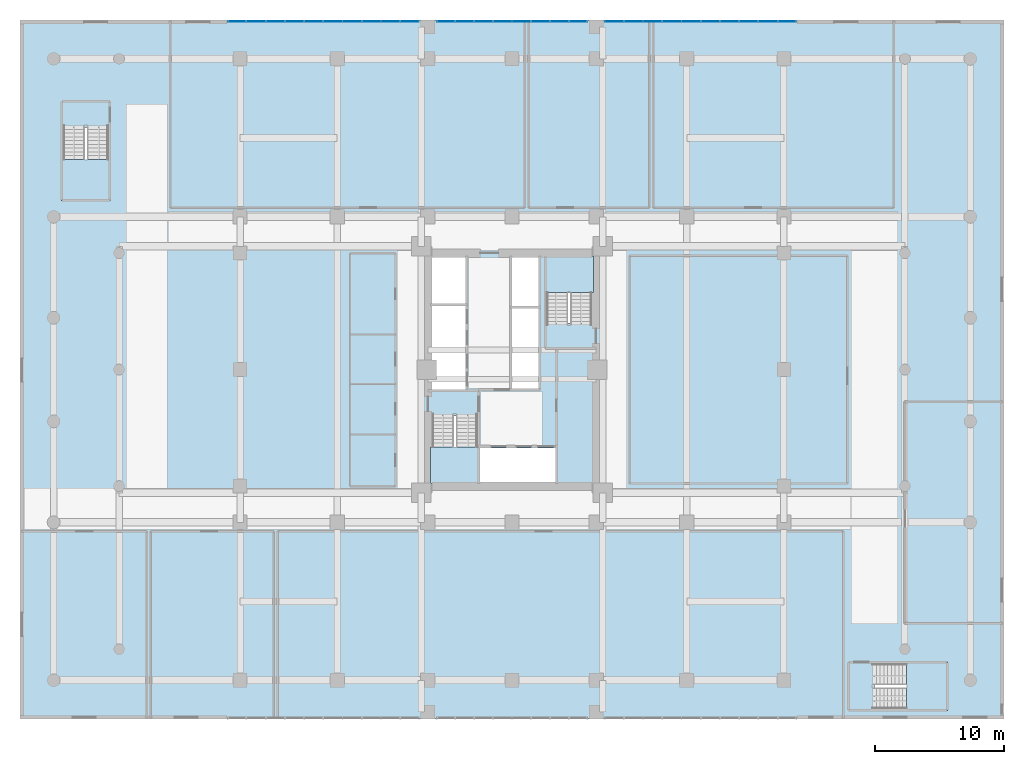
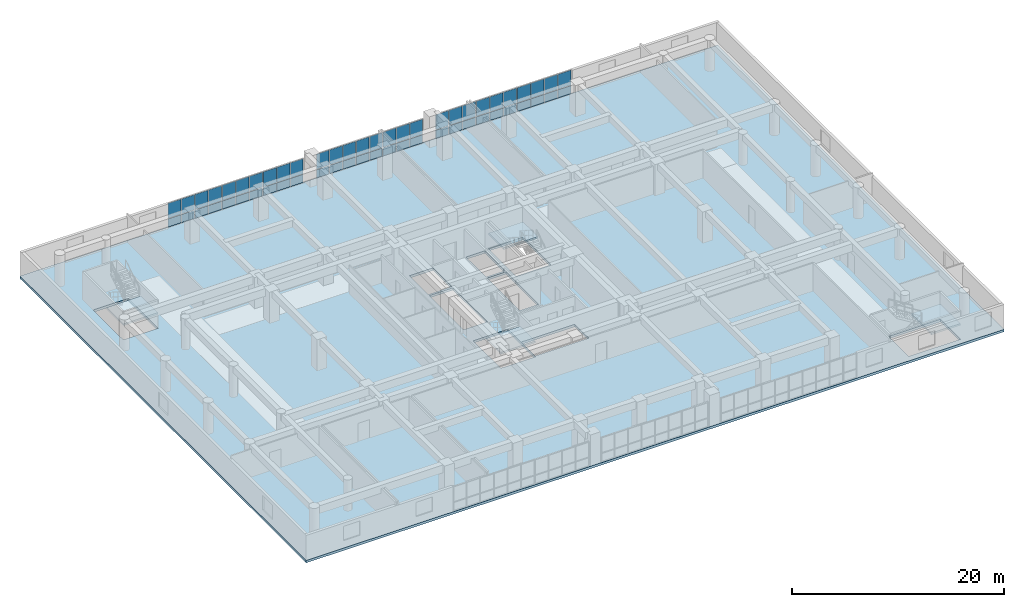
# One storey, part 17 of 30: 56 plates, 5 slabs, 7 elements without a shape of their own.
"""IFC4 building model written with IfcOpenShell, lengths in metres."""

from ifc_helpers import new_model, si_unit, direction, frame, origin, origin_2d, place, context, subcontext, project, spatial, polyline, rectangle, outline, extrude, source, transform, mapped, material, layer, layer_set, type_object, element, aggregate, save


model = new_model("IFC4")

# Units and contexts
model_context = context("Model", 3, precision=1e-05, world=origin(), true_north=direction((0.0, 1.0)))
body_context = subcontext(model_context, "Body", "Model", "MODEL_VIEW")
ifc_project = project(units=[si_unit("LENGTHUNIT", "METRE"), si_unit("AREAUNIT", "SQUARE_METRE"), si_unit("VOLUMEUNIT", "CUBIC_METRE"), si_unit("PLANEANGLEUNIT", "RADIAN"), si_unit("MASSUNIT", "GRAM", prefix="KILO")], contexts=[model_context])

# Site, building, storey
site_placement = place(None, origin())
site = spatial("IfcSite", under=ifc_project, at=site_placement, CompositionType="ELEMENT")
building_placement = place(site_placement, origin())
building = spatial("IfcBuilding", under=site, at=building_placement, Name="Saelheon Loggia Tower", CompositionType="ELEMENT")
storey_placement = place(building_placement, frame((0.0, 0.0, 11.39990234375)))
storey = spatial("IfcBuildingStorey", under=building, at=storey_placement, Name="L03", CompositionType="ELEMENT", Elevation=11.39990234375)

# Slab
ifc_material_1 = material(Name="Concrete C40/50", Category="concrete")
ifc_layer_1 = layer(ifc_material_1, 0.280029296875)
ifc_layer_set_1 = layer_set([ifc_layer_1], Name="Concrete C40/50")
slab_type_1 = type_object("IfcSlabType", Name="Slab_Podium_280", PredefinedType="FLOOR", material=ifc_layer_set_1)
slab_1_placement = place(storey_placement, frame((0.0, 0.0, -0.27978515625)))
element("IfcSlab", 1, at=slab_1_placement, inside=storey, type_object=slab_type_1, Name="L03 Podium Clinic Floor Slab", PredefinedType="FLOOR", context=body_context, shape_type="SweptSolid", body=[
    extrude(outline(polyline([(0.0, 0.0), (76.0, 0.0), (76.0, 54.0), (0.0, 54.0), (0.0, 0.0)]), holes=[polyline([(31.699951171875, 23.409912109375), (31.699951171875, 18.199951171875), (35.47998046875, 18.199951171875), (35.47998046875, 23.409912109375), (31.699951171875, 23.409912109375)]), polyline([(44.300048828125, 30.590087890625), (44.300048828125, 35.800048828125), (40.52001953125, 35.800048828125), (40.52001953125, 30.590087890625), (44.300048828125, 30.590087890625)]), polyline([(3.199951171875, 45.7099609375), (3.199951171875, 40.050048828125), (6.97998046875, 40.050048828125), (6.97998046875, 45.7099609375), (3.199951171875, 45.7099609375)]), polyline([(65.989990234375, 0.64990234375), (71.64990234375, 0.64990234375), (71.64990234375, 4.429931640625), (65.989990234375, 4.429931640625), (65.989990234375, 0.64990234375)]), polyline([(35.530029296875, 18.324951171875), (41.35009765625, 18.324951171875), (41.35009765625, 20.9599609375), (35.530029296875, 20.9599609375), (35.530029296875, 18.324951171875)]), polyline([(31.824951171875, 32.1201171875), (34.419921875, 32.1201171875), (34.419921875, 35.675048828125), (31.824951171875, 35.675048828125), (31.824951171875, 32.1201171875)]), polyline([(38.0, 31.89990234375), (40.050048828125, 31.89990234375), (40.050048828125, 35.675048828125), (38.0, 35.675048828125), (38.0, 31.89990234375)]), polyline([(31.824951171875, 25.449951171875), (34.419921875, 25.449951171875), (34.419921875, 31.919921875), (31.824951171875, 31.919921875), (31.824951171875, 25.449951171875)]), polyline([(38.0, 25.5400390625), (40.050048828125, 25.5400390625), (40.050048828125, 31.699951171875), (38.0, 31.699951171875), (38.0, 25.5400390625)])]), origin(), (0.0, 0.0, 1.0), 0.27978515625),
])

# Stair, slab
stair_type_1 = type_object("IfcStairType", Name="Stair_Escape_Core", PredefinedType="HALF_TURN_STAIR", material=ifc_material_1)
stair_1_placement = place(storey_placement, origin())
stair_1 = element("IfcStair", 2, at=stair_1_placement, inside=storey, type_object=stair_type_1, Name="L03 Special Escape Stair ST1", PredefinedType="HALF_TURN_STAIR")
ifc_layer_2 = layer(ifc_material_1, 0.199951171875)
ifc_layer_set_2 = layer_set([ifc_layer_2], Name="Concrete C40/50")
slab_type_2 = type_object("IfcSlabType", Name="Slab_StairLanding_ST1", PredefinedType="LANDING", material=ifc_layer_set_2)
slab_2_placement = place(storey_placement, frame((0.0, 0.0, 1.60009765625)))
slab_2 = element("IfcSlab", 3, at=slab_2_placement, type_object=slab_type_2, Name="ST1 landing 1", PredefinedType="LANDING", context=body_context, shape_type="SweptSolid", body=[
    extrude(outline(polyline([(31.7099609375, 21.030029296875), (31.7099609375, 18.2099609375), (35.469970703125, 18.2099609375), (35.469970703125, 21.030029296875), (31.7099609375, 21.030029296875)])), origin(), (0.0, 0.0, 1.0), 0.199951171875),
])
aggregate(stair_1, [slab_2])

stair_2_placement = place(storey_placement, origin())
stair_2 = element("IfcStair", 4, at=stair_2_placement, inside=storey, type_object=stair_type_1, Name="L03 Special Escape Stair ST2", PredefinedType="HALF_TURN_STAIR")
ifc_layer_3 = layer(ifc_material_1, 0.199951171875)
ifc_layer_set_3 = layer_set([ifc_layer_3], Name="Concrete C40/50")
slab_type_3 = type_object("IfcSlabType", Name="Slab_StairLanding_ST2", PredefinedType="LANDING", material=ifc_layer_set_3)
slab_3_placement = place(storey_placement, frame((0.0, 0.0, 1.60009765625)))
slab_3 = element("IfcSlab", 5, at=slab_3_placement, type_object=slab_type_3, Name="ST2 landing 1", PredefinedType="LANDING", context=body_context, shape_type="SweptSolid", body=[
    extrude(outline(polyline([(44.2900390625, 32.969970703125), (44.2900390625, 35.7900390625), (40.530029296875, 35.7900390625), (40.530029296875, 32.969970703125), (44.2900390625, 32.969970703125)])), origin(), (0.0, 0.0, 1.0), 0.199951171875),
])
aggregate(stair_2, [slab_3])

stair_type_2 = type_object("IfcStairType", Name="Stair_Escape_Podium", PredefinedType="HALF_TURN_STAIR", material=ifc_material_1)
stair_3_placement = place(storey_placement, origin())
stair_3 = element("IfcStair", 6, at=stair_3_placement, inside=storey, type_object=stair_type_2, Name="L03 Podium Escape Stair ST3", PredefinedType="HALF_TURN_STAIR")
ifc_layer_4 = layer(ifc_material_1, 0.199951171875)
ifc_layer_set_4 = layer_set([ifc_layer_4], Name="Concrete C40/50")
slab_type_4 = type_object("IfcSlabType", Name="Slab_StairLanding_ST3", PredefinedType="LANDING", material=ifc_layer_set_4)
slab_4_placement = place(storey_placement, frame((0.0, 0.0, 1.60009765625)))
slab_4 = element("IfcSlab", 7, at=slab_4_placement, type_object=slab_type_4, Name="ST3 landing 1", PredefinedType="LANDING", context=body_context, shape_type="SweptSolid", body=[
    extrude(outline(polyline([(3.2099609375, 43.239990234375), (3.2099609375, 40.06005859375), (6.969970703125, 40.06005859375), (6.969970703125, 43.239990234375), (3.2099609375, 43.239990234375)])), origin(), (0.0, 0.0, 1.0), 0.199951171875),
])
aggregate(stair_3, [slab_4])

stair_4_placement = place(storey_placement, origin())
stair_4 = element("IfcStair", 8, at=stair_4_placement, inside=storey, type_object=stair_type_2, Name="L03 Podium Escape Stair ST4", PredefinedType="HALF_TURN_STAIR")
ifc_layer_5 = layer(ifc_material_1, 0.199951171875)
ifc_layer_set_5 = layer_set([ifc_layer_5], Name="Concrete C40/50")
slab_type_5 = type_object("IfcSlabType", Name="Slab_StairLanding_ST4", PredefinedType="LANDING", material=ifc_layer_set_5)
slab_5_placement = place(storey_placement, frame((0.0, 0.0, 1.60009765625)))
slab_5 = element("IfcSlab", 9, at=slab_5_placement, type_object=slab_type_5, Name="ST4 landing 1", PredefinedType="LANDING", context=body_context, shape_type="SweptSolid", body=[
    extrude(outline(polyline([(68.4599609375, 0.659912109375), (71.639892578125, 0.659912109375), (71.639892578125, 4.419921875), (68.4599609375, 4.419921875), (68.4599609375, 0.659912109375)])), origin(), (0.0, 0.0, 1.0), 0.199951171875),
])
aggregate(stair_4, [slab_5])

# Curtain wall, plates
ifc_material_2 = material(Name="Aluminium 6063-T6 and Low-E IGU", Category="aluminium")
ifc_layer_6 = layer(ifc_material_2, 0.179931640625)
ifc_layer_set_6 = layer_set([ifc_layer_6], Name="Aluminium 6063-T6 and Low-E IGU")
curtain_wall_type = type_object("IfcCurtainWallType", Name="CW_PodiumClinic", PredefinedType="NOTDEFINED", material=ifc_layer_set_6)
curtain_wall_1_placement = place(storey_placement, origin())
curtain_wall_1 = element("IfcCurtainWall", 10, at=curtain_wall_1_placement, inside=storey, type_object=curtain_wall_type, Name="L03 North Clinic Curtain Wall 1", PredefinedType="NOTDEFINED")
ifc_material_3 = material(Name="Triple Low-E Laminated Glazing", Category="glass")
ifc_layer_7 = layer(ifc_material_3, 0.031982421875)
ifc_layer_set_7 = layer_set([ifc_layer_7], Name="Triple Low-E Laminated Glazing")
plate_type = type_object("IfcPlateType", Name="CW_PodiumClinic_Panel", PredefinedType="CURTAIN_PANEL", material=ifc_layer_set_7)
shared_shape_1 = source(origin(), body_context, "Body", "SweptSolid", [
    extrude(rectangle(XDim=1.3798828125, YDim=0.031982421875, at=origin_2d()), origin(), (0.0, 0.0, 1.0), 0.945068359375),
])
plate_1_placement = place(storey_placement, frame((16.760009765625, 53.89990234375, 0.06982421875), z_axis=(0.0, 0.0, 1.0), x_axis=(1.0, 0.0, 0.0)))
plate_1 = element("IfcPlate", 11, at=plate_1_placement, type_object=plate_type, Name="CW1 panel 1.1", PredefinedType="CURTAIN_PANEL", context=body_context, shape_type="MappedRepresentation", body=[
    mapped(shared_shape_1, transform((0.0, 0.0, 0.0), scale=1.0)),
])
plate_2_placement = place(storey_placement, frame((30.090087890625, 53.89990234375, 0.06982421875), z_axis=(0.0, 0.0, 1.0), x_axis=(1.0, 0.0, 0.0)))
plate_2 = element("IfcPlate", 12, at=plate_2_placement, type_object=plate_type, Name="CW1 panel 10.1", PredefinedType="CURTAIN_PANEL", context=body_context, shape_type="MappedRepresentation", body=[
    mapped(shared_shape_1, transform((0.0, 0.0, 0.0), scale=1.0)),
])

curtain_wall_2_placement = place(storey_placement, origin())
curtain_wall_2 = element("IfcCurtainWall", 13, at=curtain_wall_2_placement, inside=storey, type_object=curtain_wall_type, Name="L03 North Clinic Curtain Wall 3", PredefinedType="NOTDEFINED")
plate_3_placement = place(storey_placement, frame((45.909912109375, 53.89990234375, 0.06982421875), z_axis=(0.0, 0.0, 1.0), x_axis=(1.0, 0.0, 0.0)))
plate_3 = element("IfcPlate", 14, at=plate_3_placement, type_object=plate_type, Name="CW1 panel 1.1", PredefinedType="CURTAIN_PANEL", context=body_context, shape_type="MappedRepresentation", body=[
    mapped(shared_shape_1, transform((0.0, 0.0, 0.0), scale=1.0)),
])
plate_4_placement = place(storey_placement, frame((59.239990234375, 53.89990234375, 0.06982421875), z_axis=(0.0, 0.0, 1.0), x_axis=(1.0, 0.0, 0.0)))
plate_4 = element("IfcPlate", 15, at=plate_4_placement, type_object=plate_type, Name="CW1 panel 10.1", PredefinedType="CURTAIN_PANEL", context=body_context, shape_type="MappedRepresentation", body=[
    mapped(shared_shape_1, transform((0.0, 0.0, 0.0), scale=1.0)),
])

# Plate
shared_shape_2 = source(origin(), body_context, "Body", "SweptSolid", [
    extrude(rectangle(XDim=1.3798828125, YDim=0.031982421875, at=origin_2d()), origin(), (0.0, 0.0, 1.0), 1.72509765625),
])
plate_5_placement = place(storey_placement, frame((16.760009765625, 53.89990234375, 1.0849609375), z_axis=(0.0, 0.0, 1.0), x_axis=(1.0, 0.0, 0.0)))
plate_5 = element("IfcPlate", 16, at=plate_5_placement, type_object=plate_type, Name="CW1 panel 1.2", PredefinedType="CURTAIN_PANEL", context=body_context, shape_type="MappedRepresentation", body=[
    mapped(shared_shape_2, transform((0.0, 0.0, 0.0), scale=1.0)),
])

plate_6_placement = place(storey_placement, frame((30.090087890625, 53.89990234375, 1.0849609375), z_axis=(0.0, 0.0, 1.0), x_axis=(1.0, 0.0, 0.0)))
plate_6 = element("IfcPlate", 17, at=plate_6_placement, type_object=plate_type, Name="CW1 panel 10.2", PredefinedType="CURTAIN_PANEL", context=body_context, shape_type="MappedRepresentation", body=[
    mapped(shared_shape_2, transform((0.0, 0.0, 0.0), scale=1.0)),
])

plate_7_placement = place(storey_placement, frame((45.909912109375, 53.89990234375, 1.0849609375), z_axis=(0.0, 0.0, 1.0), x_axis=(1.0, 0.0, 0.0)))
plate_7 = element("IfcPlate", 18, at=plate_7_placement, type_object=plate_type, Name="CW1 panel 1.2", PredefinedType="CURTAIN_PANEL", context=body_context, shape_type="MappedRepresentation", body=[
    mapped(shared_shape_2, transform((0.0, 0.0, 0.0), scale=1.0)),
])

plate_8_placement = place(storey_placement, frame((59.239990234375, 53.89990234375, 1.0849609375), z_axis=(0.0, 0.0, 1.0), x_axis=(1.0, 0.0, 0.0)))
plate_8 = element("IfcPlate", 19, at=plate_8_placement, type_object=plate_type, Name="CW1 panel 10.2", PredefinedType="CURTAIN_PANEL", context=body_context, shape_type="MappedRepresentation", body=[
    mapped(shared_shape_2, transform((0.0, 0.0, 0.0), scale=1.0)),
])

shared_shape_3 = source(origin(), body_context, "Body", "SweptSolid", [
    extrude(rectangle(XDim=1.4150390625, YDim=0.031982421875, at=origin_2d()), origin(), (0.0, 0.0, 1.0), 0.945068359375),
])
plate_9_placement = place(storey_placement, frame((18.2275390625, 53.89990234375, 0.06982421875), z_axis=(0.0, 0.0, 1.0), x_axis=(1.0, 0.0, 0.0)))
plate_9 = element("IfcPlate", 20, at=plate_9_placement, type_object=plate_type, Name="CW1 panel 2.1", PredefinedType="CURTAIN_PANEL", context=body_context, shape_type="MappedRepresentation", body=[
    mapped(shared_shape_3, transform((0.0, 0.0, 0.0), scale=1.0)),
])

plate_10_placement = place(storey_placement, frame((19.71240234375, 53.89990234375, 0.06982421875), z_axis=(0.0, 0.0, 1.0), x_axis=(1.0, 0.0, 0.0)))
plate_10 = element("IfcPlate", 21, at=plate_10_placement, type_object=plate_type, Name="CW1 panel 3.1", PredefinedType="CURTAIN_PANEL", context=body_context, shape_type="MappedRepresentation", body=[
    mapped(shared_shape_3, transform((0.0, 0.0, 0.0), scale=1.0)),
])

plate_11_placement = place(storey_placement, frame((21.197509765625, 53.89990234375, 0.06982421875), z_axis=(0.0, 0.0, 1.0), x_axis=(1.0, 0.0, 0.0)))
plate_11 = element("IfcPlate", 22, at=plate_11_placement, type_object=plate_type, Name="CW1 panel 4.1", PredefinedType="CURTAIN_PANEL", context=body_context, shape_type="MappedRepresentation", body=[
    mapped(shared_shape_3, transform((0.0, 0.0, 0.0), scale=1.0)),
])

plate_12_placement = place(storey_placement, frame((22.6826171875, 53.89990234375, 0.06982421875), z_axis=(0.0, 0.0, 1.0), x_axis=(1.0, 0.0, 0.0)))
plate_12 = element("IfcPlate", 23, at=plate_12_placement, type_object=plate_type, Name="CW1 panel 5.1", PredefinedType="CURTAIN_PANEL", context=body_context, shape_type="MappedRepresentation", body=[
    mapped(shared_shape_3, transform((0.0, 0.0, 0.0), scale=1.0)),
])

plate_13_placement = place(storey_placement, frame((24.16748046875, 53.89990234375, 0.06982421875), z_axis=(0.0, 0.0, 1.0), x_axis=(1.0, 0.0, 0.0)))
plate_13 = element("IfcPlate", 24, at=plate_13_placement, type_object=plate_type, Name="CW1 panel 6.1", PredefinedType="CURTAIN_PANEL", context=body_context, shape_type="MappedRepresentation", body=[
    mapped(shared_shape_3, transform((0.0, 0.0, 0.0), scale=1.0)),
])

plate_14_placement = place(storey_placement, frame((25.652587890625, 53.89990234375, 0.06982421875), z_axis=(0.0, 0.0, 1.0), x_axis=(1.0, 0.0, 0.0)))
plate_14 = element("IfcPlate", 25, at=plate_14_placement, type_object=plate_type, Name="CW1 panel 7.1", PredefinedType="CURTAIN_PANEL", context=body_context, shape_type="MappedRepresentation", body=[
    mapped(shared_shape_3, transform((0.0, 0.0, 0.0), scale=1.0)),
])

plate_15_placement = place(storey_placement, frame((27.137451171875, 53.89990234375, 0.06982421875), z_axis=(0.0, 0.0, 1.0), x_axis=(1.0, 0.0, 0.0)))
plate_15 = element("IfcPlate", 26, at=plate_15_placement, type_object=plate_type, Name="CW1 panel 8.1", PredefinedType="CURTAIN_PANEL", context=body_context, shape_type="MappedRepresentation", body=[
    mapped(shared_shape_3, transform((0.0, 0.0, 0.0), scale=1.0)),
])

plate_16_placement = place(storey_placement, frame((28.62255859375, 53.89990234375, 0.06982421875), z_axis=(0.0, 0.0, 1.0), x_axis=(1.0, 0.0, 0.0)))
plate_16 = element("IfcPlate", 27, at=plate_16_placement, type_object=plate_type, Name="CW1 panel 9.1", PredefinedType="CURTAIN_PANEL", context=body_context, shape_type="MappedRepresentation", body=[
    mapped(shared_shape_3, transform((0.0, 0.0, 0.0), scale=1.0)),
])

plate_17_placement = place(storey_placement, frame((47.37744140625, 53.89990234375, 0.06982421875), z_axis=(0.0, 0.0, 1.0), x_axis=(1.0, 0.0, 0.0)))
plate_17 = element("IfcPlate", 28, at=plate_17_placement, type_object=plate_type, Name="CW1 panel 2.1", PredefinedType="CURTAIN_PANEL", context=body_context, shape_type="MappedRepresentation", body=[
    mapped(shared_shape_3, transform((0.0, 0.0, 0.0), scale=1.0)),
])

plate_18_placement = place(storey_placement, frame((48.862548828125, 53.89990234375, 0.06982421875), z_axis=(0.0, 0.0, 1.0), x_axis=(1.0, 0.0, 0.0)))
plate_18 = element("IfcPlate", 29, at=plate_18_placement, type_object=plate_type, Name="CW1 panel 3.1", PredefinedType="CURTAIN_PANEL", context=body_context, shape_type="MappedRepresentation", body=[
    mapped(shared_shape_3, transform((0.0, 0.0, 0.0), scale=1.0)),
])

plate_19_placement = place(storey_placement, frame((50.347412109375, 53.89990234375, 0.06982421875), z_axis=(0.0, 0.0, 1.0), x_axis=(1.0, 0.0, 0.0)))
plate_19 = element("IfcPlate", 30, at=plate_19_placement, type_object=plate_type, Name="CW1 panel 4.1", PredefinedType="CURTAIN_PANEL", context=body_context, shape_type="MappedRepresentation", body=[
    mapped(shared_shape_3, transform((0.0, 0.0, 0.0), scale=1.0)),
])

plate_20_placement = place(storey_placement, frame((51.83251953125, 53.89990234375, 0.06982421875), z_axis=(0.0, 0.0, 1.0), x_axis=(1.0, 0.0, 0.0)))
plate_20 = element("IfcPlate", 31, at=plate_20_placement, type_object=plate_type, Name="CW1 panel 5.1", PredefinedType="CURTAIN_PANEL", context=body_context, shape_type="MappedRepresentation", body=[
    mapped(shared_shape_3, transform((0.0, 0.0, 0.0), scale=1.0)),
])

plate_21_placement = place(storey_placement, frame((53.3173828125, 53.89990234375, 0.06982421875), z_axis=(0.0, 0.0, 1.0), x_axis=(1.0, 0.0, 0.0)))
plate_21 = element("IfcPlate", 32, at=plate_21_placement, type_object=plate_type, Name="CW1 panel 6.1", PredefinedType="CURTAIN_PANEL", context=body_context, shape_type="MappedRepresentation", body=[
    mapped(shared_shape_3, transform((0.0, 0.0, 0.0), scale=1.0)),
])

plate_22_placement = place(storey_placement, frame((54.802490234375, 53.89990234375, 0.06982421875), z_axis=(0.0, 0.0, 1.0), x_axis=(1.0, 0.0, 0.0)))
plate_22 = element("IfcPlate", 33, at=plate_22_placement, type_object=plate_type, Name="CW1 panel 7.1", PredefinedType="CURTAIN_PANEL", context=body_context, shape_type="MappedRepresentation", body=[
    mapped(shared_shape_3, transform((0.0, 0.0, 0.0), scale=1.0)),
])

plate_23_placement = place(storey_placement, frame((56.28759765625, 53.89990234375, 0.06982421875), z_axis=(0.0, 0.0, 1.0), x_axis=(1.0, 0.0, 0.0)))
plate_23 = element("IfcPlate", 34, at=plate_23_placement, type_object=plate_type, Name="CW1 panel 8.1", PredefinedType="CURTAIN_PANEL", context=body_context, shape_type="MappedRepresentation", body=[
    mapped(shared_shape_3, transform((0.0, 0.0, 0.0), scale=1.0)),
])

plate_24_placement = place(storey_placement, frame((57.7724609375, 53.89990234375, 0.06982421875), z_axis=(0.0, 0.0, 1.0), x_axis=(1.0, 0.0, 0.0)))
plate_24 = element("IfcPlate", 35, at=plate_24_placement, type_object=plate_type, Name="CW1 panel 9.1", PredefinedType="CURTAIN_PANEL", context=body_context, shape_type="MappedRepresentation", body=[
    mapped(shared_shape_3, transform((0.0, 0.0, 0.0), scale=1.0)),
])

shared_shape_4 = source(origin(), body_context, "Body", "SweptSolid", [
    extrude(rectangle(XDim=1.4150390625, YDim=0.031982421875, at=origin_2d()), origin(), (0.0, 0.0, 1.0), 1.72509765625),
])
plate_25_placement = place(storey_placement, frame((18.2275390625, 53.89990234375, 1.0849609375), z_axis=(0.0, 0.0, 1.0), x_axis=(1.0, 0.0, 0.0)))
plate_25 = element("IfcPlate", 36, at=plate_25_placement, type_object=plate_type, Name="CW1 panel 2.2", PredefinedType="CURTAIN_PANEL", context=body_context, shape_type="MappedRepresentation", body=[
    mapped(shared_shape_4, transform((0.0, 0.0, 0.0), scale=1.0)),
])

plate_26_placement = place(storey_placement, frame((19.71240234375, 53.89990234375, 1.0849609375), z_axis=(0.0, 0.0, 1.0), x_axis=(1.0, 0.0, 0.0)))
plate_26 = element("IfcPlate", 37, at=plate_26_placement, type_object=plate_type, Name="CW1 panel 3.2", PredefinedType="CURTAIN_PANEL", context=body_context, shape_type="MappedRepresentation", body=[
    mapped(shared_shape_4, transform((0.0, 0.0, 0.0), scale=1.0)),
])

plate_27_placement = place(storey_placement, frame((21.197509765625, 53.89990234375, 1.0849609375), z_axis=(0.0, 0.0, 1.0), x_axis=(1.0, 0.0, 0.0)))
plate_27 = element("IfcPlate", 38, at=plate_27_placement, type_object=plate_type, Name="CW1 panel 4.2", PredefinedType="CURTAIN_PANEL", context=body_context, shape_type="MappedRepresentation", body=[
    mapped(shared_shape_4, transform((0.0, 0.0, 0.0), scale=1.0)),
])

plate_28_placement = place(storey_placement, frame((22.6826171875, 53.89990234375, 1.0849609375), z_axis=(0.0, 0.0, 1.0), x_axis=(1.0, 0.0, 0.0)))
plate_28 = element("IfcPlate", 39, at=plate_28_placement, type_object=plate_type, Name="CW1 panel 5.2", PredefinedType="CURTAIN_PANEL", context=body_context, shape_type="MappedRepresentation", body=[
    mapped(shared_shape_4, transform((0.0, 0.0, 0.0), scale=1.0)),
])

plate_29_placement = place(storey_placement, frame((24.16748046875, 53.89990234375, 1.0849609375), z_axis=(0.0, 0.0, 1.0), x_axis=(1.0, 0.0, 0.0)))
plate_29 = element("IfcPlate", 40, at=plate_29_placement, type_object=plate_type, Name="CW1 panel 6.2", PredefinedType="CURTAIN_PANEL", context=body_context, shape_type="MappedRepresentation", body=[
    mapped(shared_shape_4, transform((0.0, 0.0, 0.0), scale=1.0)),
])

plate_30_placement = place(storey_placement, frame((25.652587890625, 53.89990234375, 1.0849609375), z_axis=(0.0, 0.0, 1.0), x_axis=(1.0, 0.0, 0.0)))
plate_30 = element("IfcPlate", 41, at=plate_30_placement, type_object=plate_type, Name="CW1 panel 7.2", PredefinedType="CURTAIN_PANEL", context=body_context, shape_type="MappedRepresentation", body=[
    mapped(shared_shape_4, transform((0.0, 0.0, 0.0), scale=1.0)),
])

plate_31_placement = place(storey_placement, frame((27.137451171875, 53.89990234375, 1.0849609375), z_axis=(0.0, 0.0, 1.0), x_axis=(1.0, 0.0, 0.0)))
plate_31 = element("IfcPlate", 42, at=plate_31_placement, type_object=plate_type, Name="CW1 panel 8.2", PredefinedType="CURTAIN_PANEL", context=body_context, shape_type="MappedRepresentation", body=[
    mapped(shared_shape_4, transform((0.0, 0.0, 0.0), scale=1.0)),
])

plate_32_placement = place(storey_placement, frame((28.62255859375, 53.89990234375, 1.0849609375), z_axis=(0.0, 0.0, 1.0), x_axis=(1.0, 0.0, 0.0)))
plate_32 = element("IfcPlate", 43, at=plate_32_placement, type_object=plate_type, Name="CW1 panel 9.2", PredefinedType="CURTAIN_PANEL", context=body_context, shape_type="MappedRepresentation", body=[
    mapped(shared_shape_4, transform((0.0, 0.0, 0.0), scale=1.0)),
])

aggregate(curtain_wall_1, [plate_1, plate_5, plate_9, plate_25, plate_10, plate_26, plate_11, plate_27, plate_12, plate_28, plate_13, plate_29, plate_14, plate_30, plate_15, plate_31, plate_16, plate_32, plate_2, plate_6])

plate_33_placement = place(storey_placement, frame((47.37744140625, 53.89990234375, 1.0849609375), z_axis=(0.0, 0.0, 1.0), x_axis=(1.0, 0.0, 0.0)))
plate_33 = element("IfcPlate", 44, at=plate_33_placement, type_object=plate_type, Name="CW1 panel 2.2", PredefinedType="CURTAIN_PANEL", context=body_context, shape_type="MappedRepresentation", body=[
    mapped(shared_shape_4, transform((0.0, 0.0, 0.0), scale=1.0)),
])

plate_34_placement = place(storey_placement, frame((48.862548828125, 53.89990234375, 1.0849609375), z_axis=(0.0, 0.0, 1.0), x_axis=(1.0, 0.0, 0.0)))
plate_34 = element("IfcPlate", 45, at=plate_34_placement, type_object=plate_type, Name="CW1 panel 3.2", PredefinedType="CURTAIN_PANEL", context=body_context, shape_type="MappedRepresentation", body=[
    mapped(shared_shape_4, transform((0.0, 0.0, 0.0), scale=1.0)),
])

plate_35_placement = place(storey_placement, frame((50.347412109375, 53.89990234375, 1.0849609375), z_axis=(0.0, 0.0, 1.0), x_axis=(1.0, 0.0, 0.0)))
plate_35 = element("IfcPlate", 46, at=plate_35_placement, type_object=plate_type, Name="CW1 panel 4.2", PredefinedType="CURTAIN_PANEL", context=body_context, shape_type="MappedRepresentation", body=[
    mapped(shared_shape_4, transform((0.0, 0.0, 0.0), scale=1.0)),
])

plate_36_placement = place(storey_placement, frame((51.83251953125, 53.89990234375, 1.0849609375), z_axis=(0.0, 0.0, 1.0), x_axis=(1.0, 0.0, 0.0)))
plate_36 = element("IfcPlate", 47, at=plate_36_placement, type_object=plate_type, Name="CW1 panel 5.2", PredefinedType="CURTAIN_PANEL", context=body_context, shape_type="MappedRepresentation", body=[
    mapped(shared_shape_4, transform((0.0, 0.0, 0.0), scale=1.0)),
])

plate_37_placement = place(storey_placement, frame((53.3173828125, 53.89990234375, 1.0849609375), z_axis=(0.0, 0.0, 1.0), x_axis=(1.0, 0.0, 0.0)))
plate_37 = element("IfcPlate", 48, at=plate_37_placement, type_object=plate_type, Name="CW1 panel 6.2", PredefinedType="CURTAIN_PANEL", context=body_context, shape_type="MappedRepresentation", body=[
    mapped(shared_shape_4, transform((0.0, 0.0, 0.0), scale=1.0)),
])

plate_38_placement = place(storey_placement, frame((54.802490234375, 53.89990234375, 1.0849609375), z_axis=(0.0, 0.0, 1.0), x_axis=(1.0, 0.0, 0.0)))
plate_38 = element("IfcPlate", 49, at=plate_38_placement, type_object=plate_type, Name="CW1 panel 7.2", PredefinedType="CURTAIN_PANEL", context=body_context, shape_type="MappedRepresentation", body=[
    mapped(shared_shape_4, transform((0.0, 0.0, 0.0), scale=1.0)),
])

plate_39_placement = place(storey_placement, frame((56.28759765625, 53.89990234375, 1.0849609375), z_axis=(0.0, 0.0, 1.0), x_axis=(1.0, 0.0, 0.0)))
plate_39 = element("IfcPlate", 50, at=plate_39_placement, type_object=plate_type, Name="CW1 panel 8.2", PredefinedType="CURTAIN_PANEL", context=body_context, shape_type="MappedRepresentation", body=[
    mapped(shared_shape_4, transform((0.0, 0.0, 0.0), scale=1.0)),
])

plate_40_placement = place(storey_placement, frame((57.7724609375, 53.89990234375, 1.0849609375), z_axis=(0.0, 0.0, 1.0), x_axis=(1.0, 0.0, 0.0)))
plate_40 = element("IfcPlate", 51, at=plate_40_placement, type_object=plate_type, Name="CW1 panel 9.2", PredefinedType="CURTAIN_PANEL", context=body_context, shape_type="MappedRepresentation", body=[
    mapped(shared_shape_4, transform((0.0, 0.0, 0.0), scale=1.0)),
])

aggregate(curtain_wall_2, [plate_3, plate_7, plate_17, plate_33, plate_18, plate_34, plate_19, plate_35, plate_20, plate_36, plate_21, plate_37, plate_22, plate_38, plate_23, plate_39, plate_24, plate_40, plate_4, plate_8])

# Curtain wall, plates
curtain_wall_3_placement = place(storey_placement, origin())
curtain_wall_3 = element("IfcCurtainWall", 52, at=curtain_wall_3_placement, inside=storey, type_object=curtain_wall_type, Name="L03 North Clinic Curtain Wall 2", PredefinedType="NOTDEFINED")
shared_shape_5 = source(origin(), body_context, "Body", "SweptSolid", [
    extrude(rectangle(XDim=1.357421875, YDim=0.031982421875, at=origin_2d()), origin(), (0.0, 0.0, 1.0), 0.945068359375),
])
plate_41_placement = place(storey_placement, frame((32.898681640625, 53.89990234375, 0.06982421875), z_axis=(0.0, 0.0, 1.0), x_axis=(1.0, 0.0, 0.0)))
plate_41 = element("IfcPlate", 53, at=plate_41_placement, type_object=plate_type, Name="CW1 panel 1.1", PredefinedType="CURTAIN_PANEL", context=body_context, shape_type="MappedRepresentation", body=[
    mapped(shared_shape_5, transform((0.0, 0.0, 0.0), scale=1.0)),
])
plate_42_placement = place(storey_placement, frame((43.101318359375, 53.89990234375, 0.06982421875), z_axis=(0.0, 0.0, 1.0), x_axis=(1.0, 0.0, 0.0)))
plate_42 = element("IfcPlate", 54, at=plate_42_placement, type_object=plate_type, Name="CW1 panel 8.1", PredefinedType="CURTAIN_PANEL", context=body_context, shape_type="MappedRepresentation", body=[
    mapped(shared_shape_5, transform((0.0, 0.0, 0.0), scale=1.0)),
])
shared_shape_6 = source(origin(), body_context, "Body", "SweptSolid", [
    extrude(rectangle(XDim=1.357421875, YDim=0.031982421875, at=origin_2d()), origin(), (0.0, 0.0, 1.0), 1.72509765625),
])
plate_43_placement = place(storey_placement, frame((32.898681640625, 53.89990234375, 1.0849609375), z_axis=(0.0, 0.0, 1.0), x_axis=(1.0, 0.0, 0.0)))
plate_43 = element("IfcPlate", 55, at=plate_43_placement, type_object=plate_type, Name="CW1 panel 1.2", PredefinedType="CURTAIN_PANEL", context=body_context, shape_type="MappedRepresentation", body=[
    mapped(shared_shape_6, transform((0.0, 0.0, 0.0), scale=1.0)),
])
plate_44_placement = place(storey_placement, frame((43.101318359375, 53.89990234375, 1.0849609375), z_axis=(0.0, 0.0, 1.0), x_axis=(1.0, 0.0, 0.0)))
plate_44 = element("IfcPlate", 56, at=plate_44_placement, type_object=plate_type, Name="CW1 panel 8.2", PredefinedType="CURTAIN_PANEL", context=body_context, shape_type="MappedRepresentation", body=[
    mapped(shared_shape_6, transform((0.0, 0.0, 0.0), scale=1.0)),
])
shared_shape_7 = source(origin(), body_context, "Body", "SweptSolid", [
    extrude(rectangle(XDim=1.392578125, YDim=0.031982421875, at=origin_2d()), origin(), (0.0, 0.0, 1.0), 0.945068359375),
])
plate_45_placement = place(storey_placement, frame((34.34375, 53.89990234375, 0.06982421875), z_axis=(0.0, 0.0, 1.0), x_axis=(1.0, 0.0, 0.0)))
plate_45 = element("IfcPlate", 57, at=plate_45_placement, type_object=plate_type, Name="CW1 panel 2.1", PredefinedType="CURTAIN_PANEL", context=body_context, shape_type="MappedRepresentation", body=[
    mapped(shared_shape_7, transform((0.0, 0.0, 0.0), scale=1.0)),
])
plate_46_placement = place(storey_placement, frame((35.80615234375, 53.89990234375, 0.06982421875), z_axis=(0.0, 0.0, 1.0), x_axis=(1.0, 0.0, 0.0)))
plate_46 = element("IfcPlate", 58, at=plate_46_placement, type_object=plate_type, Name="CW1 panel 3.1", PredefinedType="CURTAIN_PANEL", context=body_context, shape_type="MappedRepresentation", body=[
    mapped(shared_shape_7, transform((0.0, 0.0, 0.0), scale=1.0)),
])
plate_47_placement = place(storey_placement, frame((37.268798828125, 53.89990234375, 0.06982421875), z_axis=(0.0, 0.0, 1.0), x_axis=(1.0, 0.0, 0.0)))
plate_47 = element("IfcPlate", 59, at=plate_47_placement, type_object=plate_type, Name="CW1 panel 4.1", PredefinedType="CURTAIN_PANEL", context=body_context, shape_type="MappedRepresentation", body=[
    mapped(shared_shape_7, transform((0.0, 0.0, 0.0), scale=1.0)),
])
plate_48_placement = place(storey_placement, frame((38.731201171875, 53.89990234375, 0.06982421875), z_axis=(0.0, 0.0, 1.0), x_axis=(1.0, 0.0, 0.0)))
plate_48 = element("IfcPlate", 60, at=plate_48_placement, type_object=plate_type, Name="CW1 panel 5.1", PredefinedType="CURTAIN_PANEL", context=body_context, shape_type="MappedRepresentation", body=[
    mapped(shared_shape_7, transform((0.0, 0.0, 0.0), scale=1.0)),
])
plate_49_placement = place(storey_placement, frame((40.19384765625, 53.89990234375, 0.06982421875), z_axis=(0.0, 0.0, 1.0), x_axis=(1.0, 0.0, 0.0)))
plate_49 = element("IfcPlate", 61, at=plate_49_placement, type_object=plate_type, Name="CW1 panel 6.1", PredefinedType="CURTAIN_PANEL", context=body_context, shape_type="MappedRepresentation", body=[
    mapped(shared_shape_7, transform((0.0, 0.0, 0.0), scale=1.0)),
])
plate_50_placement = place(storey_placement, frame((41.65625, 53.89990234375, 0.06982421875), z_axis=(0.0, 0.0, 1.0), x_axis=(1.0, 0.0, 0.0)))
plate_50 = element("IfcPlate", 62, at=plate_50_placement, type_object=plate_type, Name="CW1 panel 7.1", PredefinedType="CURTAIN_PANEL", context=body_context, shape_type="MappedRepresentation", body=[
    mapped(shared_shape_7, transform((0.0, 0.0, 0.0), scale=1.0)),
])
shared_shape_8 = source(origin(), body_context, "Body", "SweptSolid", [
    extrude(rectangle(XDim=1.392578125, YDim=0.031982421875, at=origin_2d()), origin(), (0.0, 0.0, 1.0), 1.72509765625),
])
plate_51_placement = place(storey_placement, frame((34.34375, 53.89990234375, 1.0849609375), z_axis=(0.0, 0.0, 1.0), x_axis=(1.0, 0.0, 0.0)))
plate_51 = element("IfcPlate", 63, at=plate_51_placement, type_object=plate_type, Name="CW1 panel 2.2", PredefinedType="CURTAIN_PANEL", context=body_context, shape_type="MappedRepresentation", body=[
    mapped(shared_shape_8, transform((0.0, 0.0, 0.0), scale=1.0)),
])
plate_52_placement = place(storey_placement, frame((35.80615234375, 53.89990234375, 1.0849609375), z_axis=(0.0, 0.0, 1.0), x_axis=(1.0, 0.0, 0.0)))
plate_52 = element("IfcPlate", 64, at=plate_52_placement, type_object=plate_type, Name="CW1 panel 3.2", PredefinedType="CURTAIN_PANEL", context=body_context, shape_type="MappedRepresentation", body=[
    mapped(shared_shape_8, transform((0.0, 0.0, 0.0), scale=1.0)),
])
plate_53_placement = place(storey_placement, frame((37.268798828125, 53.89990234375, 1.0849609375), z_axis=(0.0, 0.0, 1.0), x_axis=(1.0, 0.0, 0.0)))
plate_53 = element("IfcPlate", 65, at=plate_53_placement, type_object=plate_type, Name="CW1 panel 4.2", PredefinedType="CURTAIN_PANEL", context=body_context, shape_type="MappedRepresentation", body=[
    mapped(shared_shape_8, transform((0.0, 0.0, 0.0), scale=1.0)),
])
plate_54_placement = place(storey_placement, frame((38.731201171875, 53.89990234375, 1.0849609375), z_axis=(0.0, 0.0, 1.0), x_axis=(1.0, 0.0, 0.0)))
plate_54 = element("IfcPlate", 66, at=plate_54_placement, type_object=plate_type, Name="CW1 panel 5.2", PredefinedType="CURTAIN_PANEL", context=body_context, shape_type="MappedRepresentation", body=[
    mapped(shared_shape_8, transform((0.0, 0.0, 0.0), scale=1.0)),
])
plate_55_placement = place(storey_placement, frame((40.19384765625, 53.89990234375, 1.0849609375), z_axis=(0.0, 0.0, 1.0), x_axis=(1.0, 0.0, 0.0)))
plate_55 = element("IfcPlate", 67, at=plate_55_placement, type_object=plate_type, Name="CW1 panel 6.2", PredefinedType="CURTAIN_PANEL", context=body_context, shape_type="MappedRepresentation", body=[
    mapped(shared_shape_8, transform((0.0, 0.0, 0.0), scale=1.0)),
])
plate_56_placement = place(storey_placement, frame((41.65625, 53.89990234375, 1.0849609375), z_axis=(0.0, 0.0, 1.0), x_axis=(1.0, 0.0, 0.0)))
plate_56 = element("IfcPlate", 68, at=plate_56_placement, type_object=plate_type, Name="CW1 panel 7.2", PredefinedType="CURTAIN_PANEL", context=body_context, shape_type="MappedRepresentation", body=[
    mapped(shared_shape_8, transform((0.0, 0.0, 0.0), scale=1.0)),
])
aggregate(curtain_wall_3, [plate_41, plate_43, plate_45, plate_51, plate_46, plate_52, plate_47, plate_53, plate_48, plate_54, plate_49, plate_55, plate_50, plate_56, plate_42, plate_44])

save(model, "model.ifc")
